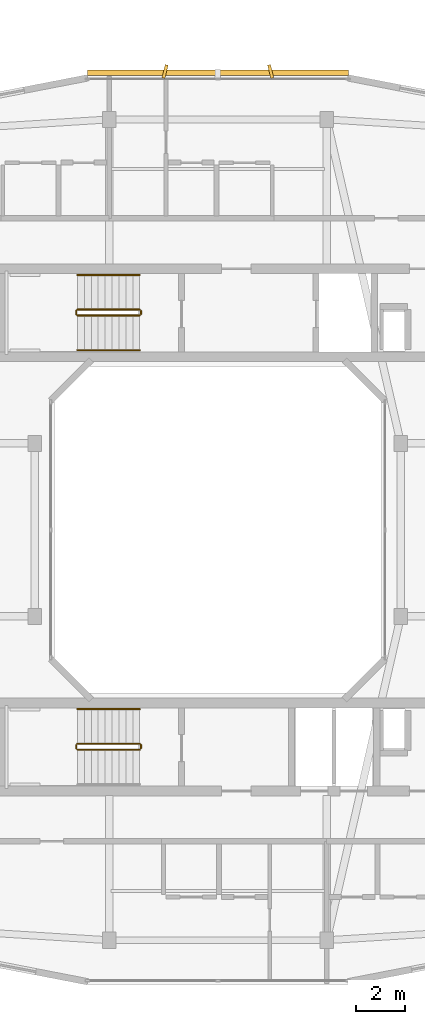
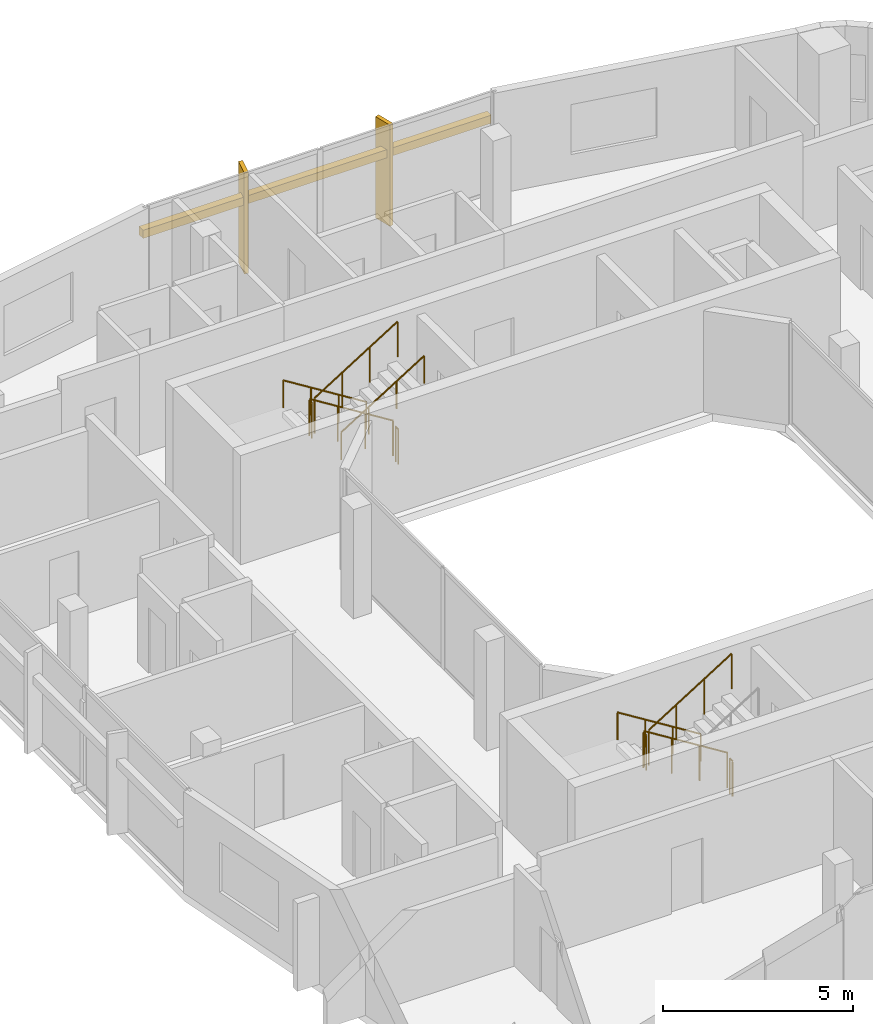
# One storey, part 26 of 26: 11 railings, 3 shading devices.
"""IFC4 building model written with IfcOpenShell, lengths in metres."""

from ifc_helpers import new_model, si_unit, derived_unit, direction, frame, origin, origin_2d, place, context, subcontext, project, spatial, rectangle, circle, extrude, material, type_object, element, save


model = new_model("IFC4")

# Units and contexts
model_context = context("Model", 3, precision=1e-05, world=origin(), true_north=direction((0.0, 1.0)))
body_context = subcontext(model_context, "Body", "Model", "MODEL_VIEW")
ifc_project = project(units=[si_unit("LENGTHUNIT", "METRE"), si_unit("AREAUNIT", "SQUARE_METRE"), si_unit("VOLUMEUNIT", "CUBIC_METRE"), si_unit("PLANEANGLEUNIT", "RADIAN"), si_unit("MASSUNIT", "GRAM", prefix="KILO"), derived_unit("THERMALTRANSMITTANCEUNIT", [(si_unit("POWERUNIT", "WATT"), 1), (si_unit("LENGTHUNIT", "METRE"), -2), (si_unit("THERMODYNAMICTEMPERATUREUNIT", "KELVIN"), -1)])], contexts=[model_context])

# Site, building, storey
site_placement = place(None, origin())
site = spatial("IfcSite", under=ifc_project, at=site_placement, CompositionType="ELEMENT")
building_placement = place(site_placement, origin())
building = spatial("IfcBuilding", under=site, at=building_placement, Name="Kivonza Crest Hotel", CompositionType="ELEMENT")
storey_placement = place(building_placement, frame((0.0, 0.0, 127.5)))
storey = spatial("IfcBuildingStorey", under=building, at=storey_placement, Name="L34", CompositionType="ELEMENT", Elevation=127.5)

# Railings
ifc_material_1 = material(Name="Brushed stainless steel handrail", Category="steel")
railing_type_1 = type_object("IfcRailingType", Name="RL-HAND-900", PredefinedType="HANDRAIL", material=ifc_material_1)
railing_1_placement = place(storey_placement, frame((73.840087890625, 35.31005859375, 0.175048828125)))
element("IfcRailing", 1, at=railing_1_placement, inside=storey, type_object=railing_type_1, Name="L34 ST-T2-N stair handrail 1", PredefinedType="HANDRAIL", context=body_context, shape_type="SweptSolid", body=[
    extrude(circle(Radius=0.02392578125, at=origin_2d()), frame((0.0, 0.0, 0.8759765625), z_axis=(-0.848007534815, 0.0, 0.529984170421), x_axis=(0.0, -1.0, 0.0)), (0.0, 0.0, 1.0), 2.9716796875),
    extrude(circle(Radius=0.02099609375, at=origin_2d()), origin(), (0.0, 0.0, 1.0), 0.851806640625),
    extrude(circle(Radius=0.02099609375, at=origin_2d()), frame((-0.840087890625, 0.0, 0.52490234375)), (0.0, 0.0, 1.0), 0.851806640625),
    extrude(circle(Radius=0.02099609375, at=origin_2d()), frame((-1.679931640625, 0.0, 1.050048828125)), (0.0, 0.0, 1.0), 0.851806640625),
    extrude(circle(Radius=0.02099609375, at=origin_2d()), frame((-2.52001953125, 0.0, 1.574951171875)), (0.0, 0.0, 1.0), 0.851806640625),
])
railing_2_placement = place(storey_placement, frame((71.320068359375, 32.27001953125, 1.925048828125)))
element("IfcRailing", 2, at=railing_2_placement, inside=storey, type_object=railing_type_1, Name="L34 ST-T2-N stair handrail 2", PredefinedType="HANDRAIL", context=body_context, shape_type="SweptSolid", body=[
    extrude(circle(Radius=0.02392578125, at=origin_2d()), frame((0.0, 0.0, 0.8759765625), z_axis=(0.848007534815, 0.0, 0.529984170421), x_axis=(0.0, 1.0, 0.0)), (0.0, 0.0, 1.0), 2.9716796875),
    extrude(circle(Radius=0.02099609375, at=origin_2d()), origin(), (0.0, 0.0, 1.0), 0.851806640625),
    extrude(circle(Radius=0.02099609375, at=origin_2d()), frame((0.840087890625, 0.0, 0.52490234375)), (0.0, 0.0, 1.0), 0.851806640625),
    extrude(circle(Radius=0.02099609375, at=origin_2d()), frame((1.679931640625, 0.0, 1.050048828125)), (0.0, 0.0, 1.0), 0.851806640625),
    extrude(circle(Radius=0.02099609375, at=origin_2d()), frame((2.52001953125, 0.0, 1.574951171875)), (0.0, 0.0, 1.0), 0.851806640625),
])
railing_3_placement = place(storey_placement, frame((73.840087890625, 17.75, 0.175048828125)))
element("IfcRailing", 3, at=railing_3_placement, inside=storey, type_object=railing_type_1, Name="L34 ST-T2-S stair handrail 1", PredefinedType="HANDRAIL", context=body_context, shape_type="SweptSolid", body=[
    extrude(circle(Radius=0.02392578125, at=origin_2d()), frame((0.0, 0.0, 0.8759765625), z_axis=(-0.848007534815, 0.0, 0.529984170421), x_axis=(0.0, -1.0, 0.0)), (0.0, 0.0, 1.0), 2.9716796875),
    extrude(circle(Radius=0.02099609375, at=origin_2d()), origin(), (0.0, 0.0, 1.0), 0.851806640625),
    extrude(circle(Radius=0.02099609375, at=origin_2d()), frame((-0.840087890625, 0.0, 0.52490234375)), (0.0, 0.0, 1.0), 0.851806640625),
    extrude(circle(Radius=0.02099609375, at=origin_2d()), frame((-1.679931640625, 0.0, 1.050048828125)), (0.0, 0.0, 1.0), 0.851806640625),
    extrude(circle(Radius=0.02099609375, at=origin_2d()), frame((-2.52001953125, 0.0, 1.574951171875)), (0.0, 0.0, 1.0), 0.851806640625),
])
ifc_material_2 = material(Name="Painted steel balustrade", Category="steel")
railing_type_2 = type_object("IfcRailingType", Name="RL-STAIR-1150", PredefinedType="BALUSTRADE", material=ifc_material_2)
railing_4_placement = place(storey_placement, frame((73.840087890625, 33.909912109375, 0.175048828125)))
element("IfcRailing", 4, at=railing_4_placement, inside=storey, type_object=railing_type_2, Name="L34 ST-T2-N stair guard 1", PredefinedType="BALUSTRADE", context=body_context, shape_type="SweptSolid", body=[
    extrude(circle(Radius=0.02392578125, at=origin_2d()), frame((0.0, 0.0, 1.1259765625), z_axis=(-0.848007534815, 0.0, 0.529984170421), x_axis=(0.0, -1.0, 0.0)), (0.0, 0.0, 1.0), 2.9716796875),
    extrude(circle(Radius=0.02099609375, at=origin_2d()), origin(), (0.0, 0.0, 1.0), 1.101806640625),
    extrude(circle(Radius=0.02099609375, at=origin_2d()), frame((-0.840087890625, 0.0, 0.52490234375)), (0.0, 0.0, 1.0), 1.101806640625),
    extrude(circle(Radius=0.02099609375, at=origin_2d()), frame((-1.679931640625, 0.0, 1.050048828125)), (0.0, 0.0, 1.0), 1.101806640625),
    extrude(circle(Radius=0.02099609375, at=origin_2d()), frame((-2.52001953125, 0.0, 1.574951171875)), (0.0, 0.0, 1.0), 1.101806640625),
])
railing_5_placement = place(storey_placement, frame((71.27001953125, 33.860107421875, 1.75)))
element("IfcRailing", 5, at=railing_5_placement, inside=storey, type_object=railing_type_2, Name="L34 ST-T2-N stair guard 2", PredefinedType="BALUSTRADE", context=body_context, shape_type="SweptSolid", body=[
    extrude(circle(Radius=0.02392578125, at=origin_2d()), frame((0.0, 0.0, 1.1259765625), z_axis=(0.0, -1.0, 0.0), x_axis=(1.0, 0.0, 0.0)), (0.0, 0.0, 1.0), 0.14013671875),
    extrude(circle(Radius=0.02099609375, at=origin_2d()), origin(), (0.0, 0.0, 1.0), 1.101806640625),
    extrude(circle(Radius=0.02099609375, at=origin_2d()), frame((0.0, -0.14013671875, 0.0)), (0.0, 0.0, 1.0), 1.101806640625),
])
railing_6_placement = place(storey_placement, frame((71.320068359375, 33.669921875, 1.925048828125)))
element("IfcRailing", 6, at=railing_6_placement, inside=storey, type_object=railing_type_2, Name="L34 ST-T2-N stair guard 3", PredefinedType="BALUSTRADE", context=body_context, shape_type="SweptSolid", body=[
    extrude(circle(Radius=0.02392578125, at=origin_2d()), frame((0.0, 0.0, 1.1259765625), z_axis=(0.848007534815, 0.0, 0.529984170421), x_axis=(0.0, 1.0, 0.0)), (0.0, 0.0, 1.0), 2.9716796875),
    extrude(circle(Radius=0.02099609375, at=origin_2d()), origin(), (0.0, 0.0, 1.0), 1.101806640625),
    extrude(circle(Radius=0.02099609375, at=origin_2d()), frame((0.840087890625, 0.0, 0.52490234375)), (0.0, 0.0, 1.0), 1.101806640625),
    extrude(circle(Radius=0.02099609375, at=origin_2d()), frame((1.679931640625, 0.0, 1.050048828125)), (0.0, 0.0, 1.0), 1.101806640625),
    extrude(circle(Radius=0.02099609375, at=origin_2d()), frame((2.52001953125, 0.0, 1.574951171875)), (0.0, 0.0, 1.0), 1.101806640625),
])
railing_7_placement = place(storey_placement, frame((73.889892578125, 33.860107421875, 0.0)))
element("IfcRailing", 7, at=railing_7_placement, inside=storey, type_object=railing_type_2, Name="L34 ST-T2-N stair guard 4", PredefinedType="BALUSTRADE", context=body_context, shape_type="SweptSolid", body=[
    extrude(circle(Radius=0.02392578125, at=origin_2d()), frame((0.0, 0.0, 1.1259765625), z_axis=(0.0, -1.0, 0.0), x_axis=(1.0, 0.0, 0.0)), (0.0, 0.0, 1.0), 0.14013671875),
    extrude(circle(Radius=0.02099609375, at=origin_2d()), origin(), (0.0, 0.0, 1.0), 1.101806640625),
    extrude(circle(Radius=0.02099609375, at=origin_2d()), frame((0.0, -0.14013671875, 0.0)), (0.0, 0.0, 1.0), 1.101806640625),
])
railing_8_placement = place(storey_placement, frame((73.840087890625, 16.35009765625, 0.175048828125)))
element("IfcRailing", 8, at=railing_8_placement, inside=storey, type_object=railing_type_2, Name="L34 ST-T2-S stair guard 1", PredefinedType="BALUSTRADE", context=body_context, shape_type="SweptSolid", body=[
    extrude(circle(Radius=0.02392578125, at=origin_2d()), frame((0.0, 0.0, 1.1259765625), z_axis=(-0.848007534815, 0.0, 0.529984170421), x_axis=(0.0, -1.0, 0.0)), (0.0, 0.0, 1.0), 2.9716796875),
    extrude(circle(Radius=0.02099609375, at=origin_2d()), origin(), (0.0, 0.0, 1.0), 1.101806640625),
    extrude(circle(Radius=0.02099609375, at=origin_2d()), frame((-0.840087890625, 0.0, 0.52490234375)), (0.0, 0.0, 1.0), 1.101806640625),
    extrude(circle(Radius=0.02099609375, at=origin_2d()), frame((-1.679931640625, 0.0, 1.050048828125)), (0.0, 0.0, 1.0), 1.101806640625),
    extrude(circle(Radius=0.02099609375, at=origin_2d()), frame((-2.52001953125, 0.0, 1.574951171875)), (0.0, 0.0, 1.0), 1.101806640625),
])
railing_9_placement = place(storey_placement, frame((71.27001953125, 16.300048828125, 1.75)))
element("IfcRailing", 9, at=railing_9_placement, inside=storey, type_object=railing_type_2, Name="L34 ST-T2-S stair guard 2", PredefinedType="BALUSTRADE", context=body_context, shape_type="SweptSolid", body=[
    extrude(circle(Radius=0.02392578125, at=origin_2d()), frame((0.0, 0.0, 1.1259765625), z_axis=(0.0, -1.0, 0.0), x_axis=(1.0, 0.0, 0.0)), (0.0, 0.0, 1.0), 0.14013671875),
    extrude(circle(Radius=0.02099609375, at=origin_2d()), origin(), (0.0, 0.0, 1.0), 1.101806640625),
    extrude(circle(Radius=0.02099609375, at=origin_2d()), frame((0.0, -0.14013671875, 0.0)), (0.0, 0.0, 1.0), 1.101806640625),
])
railing_10_placement = place(storey_placement, frame((71.320068359375, 16.110107421875, 1.925048828125)))
element("IfcRailing", 10, at=railing_10_placement, inside=storey, type_object=railing_type_2, Name="L34 ST-T2-S stair guard 3", PredefinedType="BALUSTRADE", context=body_context, shape_type="SweptSolid", body=[
    extrude(circle(Radius=0.02392578125, at=origin_2d()), frame((0.0, 0.0, 1.1259765625), z_axis=(0.848007534815, 0.0, 0.529984170421), x_axis=(0.0, 1.0, 0.0)), (0.0, 0.0, 1.0), 2.9716796875),
    extrude(circle(Radius=0.02099609375, at=origin_2d()), origin(), (0.0, 0.0, 1.0), 1.101806640625),
    extrude(circle(Radius=0.02099609375, at=origin_2d()), frame((0.840087890625, 0.0, 0.52490234375)), (0.0, 0.0, 1.0), 1.101806640625),
    extrude(circle(Radius=0.02099609375, at=origin_2d()), frame((1.679931640625, 0.0, 1.050048828125)), (0.0, 0.0, 1.0), 1.101806640625),
    extrude(circle(Radius=0.02099609375, at=origin_2d()), frame((2.52001953125, 0.0, 1.574951171875)), (0.0, 0.0, 1.0), 1.101806640625),
])
railing_11_placement = place(storey_placement, frame((73.889892578125, 16.300048828125, 0.0)))
element("IfcRailing", 11, at=railing_11_placement, inside=storey, type_object=railing_type_2, Name="L34 ST-T2-S stair guard 4", PredefinedType="BALUSTRADE", context=body_context, shape_type="SweptSolid", body=[
    extrude(circle(Radius=0.02392578125, at=origin_2d()), frame((0.0, 0.0, 1.1259765625), z_axis=(0.0, -1.0, 0.0), x_axis=(1.0, 0.0, 0.0)), (0.0, 0.0, 1.0), 0.14013671875),
    extrude(circle(Radius=0.02099609375, at=origin_2d()), origin(), (0.0, 0.0, 1.0), 1.101806640625),
    extrude(circle(Radius=0.02099609375, at=origin_2d()), frame((0.0, -0.14013671875, 0.0)), (0.0, 0.0, 1.0), 1.101806640625),
])

# Shading devices
ifc_material_3 = material(Name="Kiln-fired Nairobi red-ochre terracotta", Category="masonry")
shading_device_type_1 = type_object("IfcShadingDeviceType", Name="SH-BAGUETTE-300", PredefinedType="USERDEFINED", material=ifc_material_3)
shading_device_placement = place(storey_placement, frame((77.0, 43.47998046875, 2.14501953125), z_axis=(0.0, 0.0, 1.0), x_axis=(-1.0, 0.0, 0.0)))
element("IfcShadingDevice", 12, at=shading_device_placement, inside=storey, type_object=shading_device_type_1, Name="L34 terracotta baguette screen CW-T2-L34-26", ObjectType="BAGUETTE", PredefinedType="USERDEFINED", context=body_context, shape_type="SweptSolid", body=[
    extrude(rectangle(XDim=10.56005859375, YDim=0.219970703125, at=origin_2d()), origin(), (0.0, 0.0, 1.0), 0.260009765625),
])
ifc_material_4 = material(Name="Kiln-fired terracotta over extruded aluminium spine", Category="masonry")
shading_device_type_2 = type_object("IfcShadingDeviceType", Name="SH-FIN-550", PredefinedType="USERDEFINED", material=ifc_material_4)
for number, where, z_axis, x_axis, name in (
    (13, (79.135986328125, 43.5400390625, 0.0), (0.0, 0.0, 1.0), (-0.970295726276, -0.2419218956, 0.0), "L34 vertical solar shading fin CW-T2-L34-26-1"),
    (14, (74.864013671875, 43.5400390625, 0.0), (0.0, 0.0, 1.0), (-0.970295726276, 0.2419218956, 0.0), "L34 vertical solar shading fin CW-T2-L34-26-2"),
):
    element("IfcShadingDevice", number, at=place(storey_placement, frame(where, z_axis=z_axis, x_axis=x_axis)), inside=storey, type_object=shading_device_type_2, Name=name, ObjectType="FIN", PredefinedType="USERDEFINED", context=body_context, shape_type="SweptSolid", body=[
        extrude(rectangle(XDim=0.1201171875, YDim=0.550048828125, at=origin_2d()), origin(), (0.0, 0.0, 1.0), 3.25),
    ])

save(model, "model.ifc")
